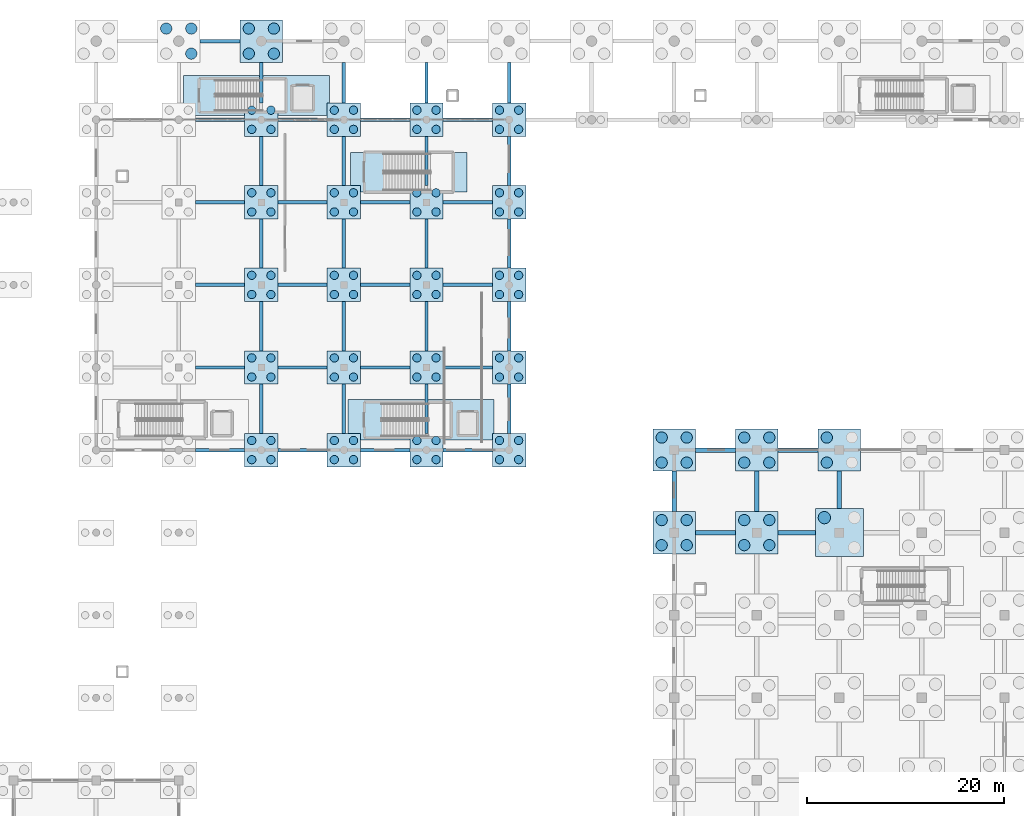
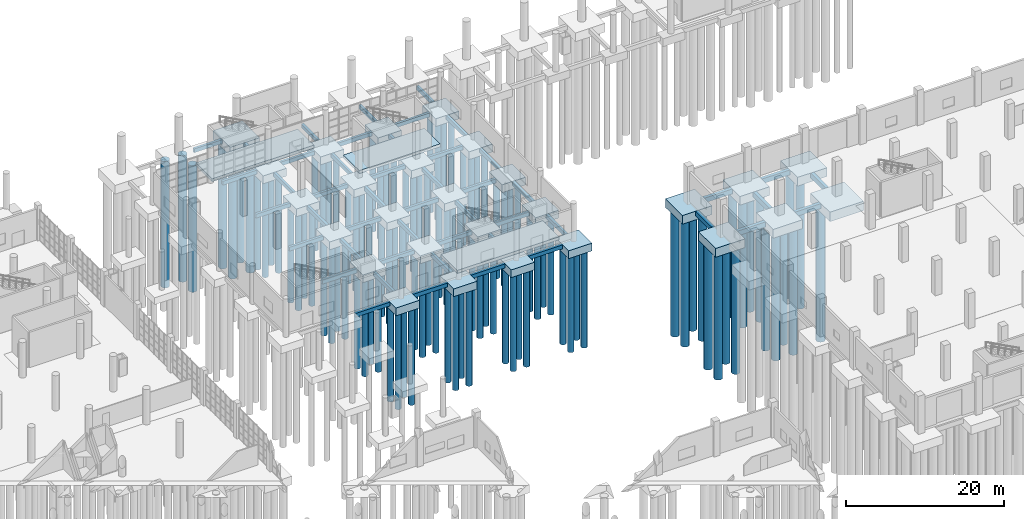
# One storey, part 7 of 83: 106 piles, 78 footings.
"""IFC4 building model written with IfcOpenShell, lengths in metres."""

from ifc_helpers import new_model, si_unit, direction, frame, origin, origin_2d, place, context, subcontext, project, spatial, rectangle, circle, extrude, material, material_profile, profile_set, type_object, element, save


model = new_model("IFC4")

# Units and contexts
model_context = context("Model", 3, precision=1e-05, world=origin(), true_north=direction((0.0, 1.0)))
body_context = subcontext(model_context, "Body", "Model", "MODEL_VIEW")
ifc_project = project(units=[si_unit("LENGTHUNIT", "METRE"), si_unit("AREAUNIT", "SQUARE_METRE"), si_unit("VOLUMEUNIT", "CUBIC_METRE"), si_unit("PLANEANGLEUNIT", "RADIAN"), si_unit("MASSUNIT", "GRAM", prefix="KILO"), si_unit("THERMODYNAMICTEMPERATUREUNIT", "KELVIN"), si_unit("POWERUNIT", "WATT")], contexts=[model_context])

# Site, building, storey
site_placement = place(None, origin())
site = spatial("IfcSite", under=ifc_project, at=site_placement, CompositionType="ELEMENT")
building_placement = place(site_placement, origin())
building = spatial("IfcBuilding", under=site, at=building_placement, Name="Mavoryth Pier Ferry Terminal", CompositionType="ELEMENT")
storey_placement = place(building_placement, origin())
storey = spatial("IfcBuildingStorey", under=building, at=storey_placement, Name="L00", CompositionType="ELEMENT", Elevation=0.0)

# Footings
ifc_material = material(Name="Concrete C35/45", Category="concrete")
footing_type_1 = type_object("IfcFootingType", Name="Cap-4P-3400x3400x1200", PredefinedType="PILE_CAP", material=ifc_material)
for number, where, z_axis, x_axis, name in (
    (1, (67.199951171875, 72.39990234375, -1.66015625), (0.0, 0.0, 1.0), (1.0, 0.0, 0.0), "Foundation FD-V2-3-1"),
    (2, (67.199951171875, 80.800048828125, -1.66015625), (0.0, 0.0, 1.0), (1.0, 0.0, 0.0), "Foundation FD-V2-3-2"),
    (3, (67.199951171875, 89.199951171875, -1.66015625), (0.0, 0.0, 1.0), (1.0, 0.0, 0.0), "Foundation FD-V2-3-3"),
    (4, (67.199951171875, 97.60009765625, -1.66015625), (0.0, 0.0, 1.0), (1.0, 0.0, 0.0), "Foundation FD-V2-3-4"),
    (5, (67.199951171875, 106.0, -1.66015625), (0.0, 0.0, 1.0), (1.0, 0.0, 0.0), "Foundation FD-V2-3-5"),
    (6, (75.60009765625, 72.39990234375, -1.66015625), (0.0, 0.0, 1.0), (1.0, 0.0, 0.0), "Foundation FD-V2-4-1"),
    (7, (75.60009765625, 80.800048828125, -1.66015625), (0.0, 0.0, 1.0), (1.0, 0.0, 0.0), "Foundation FD-V2-4-2"),
    (8, (75.60009765625, 89.199951171875, -1.66015625), (0.0, 0.0, 1.0), (1.0, 0.0, 0.0), "Foundation FD-V2-4-3"),
    (9, (75.60009765625, 97.60009765625, -1.66015625), (0.0, 0.0, 1.0), (1.0, 0.0, 0.0), "Foundation FD-V2-4-4"),
    (10, (75.60009765625, 106.0, -1.66015625), (0.0, 0.0, 1.0), (1.0, 0.0, 0.0), "Foundation FD-V2-4-5"),
    (11, (84.0, 72.39990234375, -1.66015625), (0.0, 0.0, 1.0), (1.0, 0.0, 0.0), "Foundation FD-V2-5-1"),
    (12, (84.0, 80.800048828125, -1.66015625), (0.0, 0.0, 1.0), (1.0, 0.0, 0.0), "Foundation FD-V2-5-2"),
    (13, (84.0, 89.199951171875, -1.66015625), (0.0, 0.0, 1.0), (1.0, 0.0, 0.0), "Foundation FD-V2-5-3"),
    (14, (84.0, 97.60009765625, -1.66015625), (0.0, 0.0, 1.0), (1.0, 0.0, 0.0), "Foundation FD-V2-5-4"),
    (15, (84.0, 106.0, -1.66015625), (0.0, 0.0, 1.0), (1.0, 0.0, 0.0), "Foundation FD-V2-5-5"),
    (16, (92.39990234375, 72.39990234375, -1.66015625), (0.0, 0.0, 1.0), (1.0, 0.0, 0.0), "Foundation FD-V2-6-1"),
    (17, (92.39990234375, 80.800048828125, -1.66015625), (0.0, 0.0, 1.0), (1.0, 0.0, 0.0), "Foundation FD-V2-6-2"),
    (18, (92.39990234375, 89.199951171875, -1.66015625), (0.0, 0.0, 1.0), (1.0, 0.0, 0.0), "Foundation FD-V2-6-3"),
    (19, (92.39990234375, 97.60009765625, -1.66015625), (0.0, 0.0, 1.0), (1.0, 0.0, 0.0), "Foundation FD-V2-6-4"),
    (20, (92.39990234375, 106.0, -1.66015625), (0.0, 0.0, 1.0), (1.0, 0.0, 0.0), "Foundation FD-V2-6-5"),
):
    element("IfcFooting", number, at=place(storey_placement, frame(where, z_axis=z_axis, x_axis=x_axis)), inside=storey, type_object=footing_type_1, Name=name, PredefinedType="PILE_CAP", context=body_context, shape_type="SweptSolid", body=[
        extrude(rectangle(XDim=3.39990234375, YDim=3.39990234375, at=origin_2d()), origin(), (0.0, 0.0, 1.0), 1.199951171875),
    ])
footing_type_2 = type_object("IfcFootingType", Name="Cap-4P-4300x4300x1350", PredefinedType="PILE_CAP", material=ifc_material)
for number, where, z_axis, x_axis, name in (
    (21, (67.199951171875, 114.0, -1.81005859375), (0.0, 0.0, 1.0), (1.0, 0.0, 0.0), "Foundation FD-V3-3-2"),
    (22, (109.199951171875, 64.0, -1.81005859375), (0.0, 0.0, 1.0), (1.0, 0.0, 0.0), "Foundation FD-V4-1-7"),
    (23, (109.199951171875, 72.39990234375, -1.81005859375), (0.0, 0.0, 1.0), (1.0, 0.0, 0.0), "Foundation FD-V4-1-8"),
    (24, (117.60009765625, 64.0, -1.81005859375), (0.0, 0.0, 1.0), (1.0, 0.0, 0.0), "Foundation FD-V4-2-7"),
    (25, (117.60009765625, 72.39990234375, -1.81005859375), (0.0, 0.0, 1.0), (1.0, 0.0, 0.0), "Foundation FD-V4-2-8"),
    (26, (126.0, 72.39990234375, -1.81005859375), (0.0, 0.0, 1.0), (1.0, 0.0, 0.0), "Foundation FD-V4-3-8"),
):
    element("IfcFooting", number, at=place(storey_placement, frame(where, z_axis=z_axis, x_axis=x_axis)), inside=storey, type_object=footing_type_2, Name=name, PredefinedType="PILE_CAP", context=body_context, shape_type="SweptSolid", body=[
        extrude(rectangle(XDim=4.300048828125, YDim=4.300048828125, at=origin_2d()), origin(), (0.0, 0.0, 1.0), 1.35009765625),
    ])
footing_type_3 = type_object("IfcFootingType", Name="Cap-4P-4900x4900x1450", PredefinedType="PILE_CAP", material=ifc_material)
footing_1_placement = place(storey_placement, frame((126.0, 64.0, -1.91015625), z_axis=(0.0, 0.0, 1.0), x_axis=(1.0, 0.0, 0.0)))
element("IfcFooting", 27, at=footing_1_placement, inside=storey, type_object=footing_type_3, Name="Foundation FD-V4-3-7", PredefinedType="PILE_CAP", context=body_context, shape_type="SweptSolid", body=[
    extrude(rectangle(XDim=4.89990234375, YDim=4.89990234375, at=origin_2d()), origin(), (0.0, 0.0, 1.0), 1.449951171875),
])
footing_type_4 = type_object("IfcFootingType", Name="Pad-CoreMat-11840x4000x460", PredefinedType="PAD_FOOTING", material=ifc_material)
footing_2_placement = place(storey_placement, frame((82.199951171875, 100.675048828125, -0.4599609375), z_axis=(0.0, 0.0, 1.0), x_axis=(1.0, 0.0, 0.0)))
element("IfcFooting", 28, at=footing_2_placement, inside=storey, type_object=footing_type_4, Name="Feature Stair Foundation Mat FS3", PredefinedType="PAD_FOOTING", context=body_context, shape_type="SweptSolid", body=[
    extrude(rectangle(XDim=11.840087890625, YDim=4.0, at=origin_2d()), origin(), (0.0, 0.0, 1.0), 0.4599609375),
])
footing_type_5 = type_object("IfcFootingType", Name="Pad-CoreMat-14840x4100x460", PredefinedType="PAD_FOOTING", material=ifc_material)
for number, where, z_axis, x_axis, name in (
    (29, (83.449951171875, 75.47509765625, -0.4599609375), (0.0, 0.0, 1.0), (1.0, 0.0, 0.0), "Core Foundation Mat C2B"),
    (30, (66.699951171875, 108.47509765625, -0.4599609375), (0.0, 0.0, 1.0), (1.0, 0.0, 0.0), "Core Foundation Mat C3A"),
):
    element("IfcFooting", number, at=place(storey_placement, frame(where, z_axis=z_axis, x_axis=x_axis)), inside=storey, type_object=footing_type_5, Name=name, PredefinedType="PAD_FOOTING", context=body_context, shape_type="SweptSolid", body=[
        extrude(rectangle(XDim=14.840087890625, YDim=4.10009765625, at=origin_2d()), origin(), (0.0, 0.0, 1.0), 0.4599609375),
    ])

# Piles
ifc_material_profile_1 = material_profile(ifc_material, circle(Radius=0.574951171875, at=origin_2d()), Name="PILE D1150", Category="concrete")
ifc_profile_set_1 = profile_set([ifc_material_profile_1], Name="Concrete C35/45 - PILE D1150")
pile_type_1 = type_object("IfcPileType", Name="Pile-Bored-D1150", PredefinedType="BORED", material=ifc_profile_set_1)
for number, where, z_axis, x_axis, name in (
    (31, (60.074951171875, 112.72509765625, -1.7099609375), (0.0, 0.0, -1.0), (1.0, 0.0, 0.0), "Bored Pile FD-V3-2-2-P2"),
    (32, (57.52490234375, 115.27490234375, -1.7099609375), (0.0, 0.0, -1.0), (1.0, 0.0, 0.0), "Bored Pile FD-V3-2-2-P3"),
    (33, (60.074951171875, 115.27490234375, -1.7099609375), (0.0, 0.0, -1.0), (1.0, 0.0, 0.0), "Bored Pile FD-V3-2-2-P4"),
    (34, (65.925048828125, 112.72509765625, -1.7099609375), (0.0, 0.0, -1.0), (1.0, 0.0, 0.0), "Bored Pile FD-V3-3-2-P1"),
    (35, (68.47509765625, 112.72509765625, -1.7099609375), (0.0, 0.0, -1.0), (1.0, 0.0, 0.0), "Bored Pile FD-V3-3-2-P2"),
    (36, (65.925048828125, 115.27490234375, -1.7099609375), (0.0, 0.0, -1.0), (1.0, 0.0, 0.0), "Bored Pile FD-V3-3-2-P3"),
    (37, (68.47509765625, 115.27490234375, -1.7099609375), (0.0, 0.0, -1.0), (1.0, 0.0, 0.0), "Bored Pile FD-V3-3-2-P4"),
    (38, (107.925048828125, 62.72509765625, -1.7099609375), (0.0, 0.0, -1.0), (1.0, 0.0, 0.0), "Bored Pile FD-V4-1-7-P1"),
    (39, (110.47509765625, 62.72509765625, -1.7099609375), (0.0, 0.0, -1.0), (1.0, 0.0, 0.0), "Bored Pile FD-V4-1-7-P2"),
    (40, (107.925048828125, 65.27490234375, -1.7099609375), (0.0, 0.0, -1.0), (1.0, 0.0, 0.0), "Bored Pile FD-V4-1-7-P3"),
    (41, (110.47509765625, 65.27490234375, -1.7099609375), (0.0, 0.0, -1.0), (1.0, 0.0, 0.0), "Bored Pile FD-V4-1-7-P4"),
    (42, (107.925048828125, 71.125, -1.7099609375), (0.0, 0.0, -1.0), (1.0, 0.0, 0.0), "Bored Pile FD-V4-1-8-P1"),
    (43, (110.47509765625, 71.125, -1.7099609375), (0.0, 0.0, -1.0), (1.0, 0.0, 0.0), "Bored Pile FD-V4-1-8-P2"),
    (44, (107.925048828125, 73.675048828125, -1.7099609375), (0.0, 0.0, -1.0), (1.0, 0.0, 0.0), "Bored Pile FD-V4-1-8-P3"),
    (45, (110.47509765625, 73.675048828125, -1.7099609375), (0.0, 0.0, -1.0), (1.0, 0.0, 0.0), "Bored Pile FD-V4-1-8-P4"),
    (46, (116.324951171875, 62.72509765625, -1.7099609375), (0.0, 0.0, -1.0), (1.0, 0.0, 0.0), "Bored Pile FD-V4-2-7-P1"),
    (47, (118.875, 62.72509765625, -1.7099609375), (0.0, 0.0, -1.0), (1.0, 0.0, 0.0), "Bored Pile FD-V4-2-7-P2"),
    (48, (116.324951171875, 65.27490234375, -1.7099609375), (0.0, 0.0, -1.0), (1.0, 0.0, 0.0), "Bored Pile FD-V4-2-7-P3"),
    (49, (118.875, 65.27490234375, -1.7099609375), (0.0, 0.0, -1.0), (1.0, 0.0, 0.0), "Bored Pile FD-V4-2-7-P4"),
    (50, (116.324951171875, 71.125, -1.7099609375), (0.0, 0.0, -1.0), (1.0, 0.0, 0.0), "Bored Pile FD-V4-2-8-P1"),
    (51, (118.875, 71.125, -1.7099609375), (0.0, 0.0, -1.0), (1.0, 0.0, 0.0), "Bored Pile FD-V4-2-8-P2"),
    (52, (116.324951171875, 73.675048828125, -1.7099609375), (0.0, 0.0, -1.0), (1.0, 0.0, 0.0), "Bored Pile FD-V4-2-8-P3"),
    (53, (118.875, 73.675048828125, -1.7099609375), (0.0, 0.0, -1.0), (1.0, 0.0, 0.0), "Bored Pile FD-V4-2-8-P4"),
    (54, (124.72509765625, 71.125, -1.7099609375), (0.0, 0.0, -1.0), (1.0, 0.0, 0.0), "Bored Pile FD-V4-3-8-P1"),
    (55, (124.72509765625, 73.675048828125, -1.7099609375), (0.0, 0.0, -1.0), (1.0, 0.0, 0.0), "Bored Pile FD-V4-3-8-P3"),
):
    element("IfcPile", number, at=place(storey_placement, frame(where, z_axis=z_axis, x_axis=x_axis)), inside=storey, type_object=pile_type_1, Name=name, PredefinedType="BORED", context=body_context, shape_type="SweptSolid", body=[
        extrude(circle(Radius=0.574951171875, at=origin_2d()), origin(), (0.0, 0.0, 1.0), 19.5),
    ])
ifc_material_profile_2 = material_profile(ifc_material, circle(Radius=0.625, at=origin_2d()), Name="PILE D1250", Category="concrete")
ifc_profile_set_2 = profile_set([ifc_material_profile_2], Name="Concrete C35/45 - PILE D1250")
pile_type_2 = type_object("IfcPileType", Name="Pile-Bored-D1250", PredefinedType="BORED", material=ifc_profile_set_2)
pile_placement = place(storey_placement, frame((124.47509765625, 65.52490234375, -1.81005859375), z_axis=(0.0, 0.0, -1.0), x_axis=(1.0, 0.0, 0.0)))
element("IfcPile", 56, at=pile_placement, inside=storey, type_object=pile_type_2, Name="Bored Pile FD-V4-3-7-P3", PredefinedType="BORED", context=body_context, shape_type="SweptSolid", body=[
    extrude(circle(Radius=0.625, at=origin_2d()), origin(), (0.0, 0.0, 1.0), 21.0),
])
ifc_material_profile_3 = material_profile(ifc_material, circle(Radius=0.425048828125, at=origin_2d()), Name="PILE D850", Category="concrete")
ifc_profile_set_3 = profile_set([ifc_material_profile_3], Name="Concrete C35/45 - PILE D850")
pile_type_3 = type_object("IfcPileType", Name="Pile-Bored-D850", PredefinedType="BORED", material=ifc_profile_set_3)
for number, where, z_axis, x_axis, name in (
    (57, (66.22509765625, 71.425048828125, -1.56005859375), (0.0, 0.0, -1.0), (1.0, 0.0, 0.0), "Bored Pile FD-V2-3-1-P1"),
    (58, (68.175048828125, 71.425048828125, -1.56005859375), (0.0, 0.0, -1.0), (1.0, 0.0, 0.0), "Bored Pile FD-V2-3-1-P2"),
    (59, (66.22509765625, 73.375, -1.56005859375), (0.0, 0.0, -1.0), (1.0, 0.0, 0.0), "Bored Pile FD-V2-3-1-P3"),
    (60, (68.175048828125, 73.375, -1.56005859375), (0.0, 0.0, -1.0), (1.0, 0.0, 0.0), "Bored Pile FD-V2-3-1-P4"),
    (61, (66.22509765625, 79.824951171875, -1.56005859375), (0.0, 0.0, -1.0), (1.0, 0.0, 0.0), "Bored Pile FD-V2-3-2-P1"),
    (62, (68.175048828125, 79.824951171875, -1.56005859375), (0.0, 0.0, -1.0), (1.0, 0.0, 0.0), "Bored Pile FD-V2-3-2-P2"),
    (63, (66.22509765625, 81.77490234375, -1.56005859375), (0.0, 0.0, -1.0), (1.0, 0.0, 0.0), "Bored Pile FD-V2-3-2-P3"),
    (64, (68.175048828125, 81.77490234375, -1.56005859375), (0.0, 0.0, -1.0), (1.0, 0.0, 0.0), "Bored Pile FD-V2-3-2-P4"),
    (65, (66.22509765625, 88.22509765625, -1.56005859375), (0.0, 0.0, -1.0), (1.0, 0.0, 0.0), "Bored Pile FD-V2-3-3-P1"),
    (66, (68.175048828125, 88.22509765625, -1.56005859375), (0.0, 0.0, -1.0), (1.0, 0.0, 0.0), "Bored Pile FD-V2-3-3-P2"),
    (67, (66.22509765625, 90.175048828125, -1.56005859375), (0.0, 0.0, -1.0), (1.0, 0.0, 0.0), "Bored Pile FD-V2-3-3-P3"),
    (68, (68.175048828125, 90.175048828125, -1.56005859375), (0.0, 0.0, -1.0), (1.0, 0.0, 0.0), "Bored Pile FD-V2-3-3-P4"),
    (69, (66.22509765625, 96.625, -1.56005859375), (0.0, 0.0, -1.0), (1.0, 0.0, 0.0), "Bored Pile FD-V2-3-4-P1"),
    (70, (68.175048828125, 96.625, -1.56005859375), (0.0, 0.0, -1.0), (1.0, 0.0, 0.0), "Bored Pile FD-V2-3-4-P2"),
    (71, (66.22509765625, 98.574951171875, -1.56005859375), (0.0, 0.0, -1.0), (1.0, 0.0, 0.0), "Bored Pile FD-V2-3-4-P3"),
    (72, (68.175048828125, 98.574951171875, -1.56005859375), (0.0, 0.0, -1.0), (1.0, 0.0, 0.0), "Bored Pile FD-V2-3-4-P4"),
    (73, (66.22509765625, 105.02490234375, -1.56005859375), (0.0, 0.0, -1.0), (1.0, 0.0, 0.0), "Bored Pile FD-V2-3-5-P1"),
    (74, (68.175048828125, 105.02490234375, -1.56005859375), (0.0, 0.0, -1.0), (1.0, 0.0, 0.0), "Bored Pile FD-V2-3-5-P2"),
    (75, (66.22509765625, 106.97509765625, -1.56005859375), (0.0, 0.0, -1.0), (1.0, 0.0, 0.0), "Bored Pile FD-V2-3-5-P3"),
    (76, (68.175048828125, 106.97509765625, -1.56005859375), (0.0, 0.0, -1.0), (1.0, 0.0, 0.0), "Bored Pile FD-V2-3-5-P4"),
    (77, (74.625, 71.425048828125, -1.56005859375), (0.0, 0.0, -1.0), (1.0, 0.0, 0.0), "Bored Pile FD-V2-4-1-P1"),
    (78, (76.574951171875, 71.425048828125, -1.56005859375), (0.0, 0.0, -1.0), (1.0, 0.0, 0.0), "Bored Pile FD-V2-4-1-P2"),
    (79, (74.625, 73.375, -1.56005859375), (0.0, 0.0, -1.0), (1.0, 0.0, 0.0), "Bored Pile FD-V2-4-1-P3"),
    (80, (76.574951171875, 73.375, -1.56005859375), (0.0, 0.0, -1.0), (1.0, 0.0, 0.0), "Bored Pile FD-V2-4-1-P4"),
    (81, (74.625, 79.824951171875, -1.56005859375), (0.0, 0.0, -1.0), (1.0, 0.0, 0.0), "Bored Pile FD-V2-4-2-P1"),
    (82, (76.574951171875, 79.824951171875, -1.56005859375), (0.0, 0.0, -1.0), (1.0, 0.0, 0.0), "Bored Pile FD-V2-4-2-P2"),
    (83, (74.625, 81.77490234375, -1.56005859375), (0.0, 0.0, -1.0), (1.0, 0.0, 0.0), "Bored Pile FD-V2-4-2-P3"),
    (84, (76.574951171875, 81.77490234375, -1.56005859375), (0.0, 0.0, -1.0), (1.0, 0.0, 0.0), "Bored Pile FD-V2-4-2-P4"),
    (85, (74.625, 88.22509765625, -1.56005859375), (0.0, 0.0, -1.0), (1.0, 0.0, 0.0), "Bored Pile FD-V2-4-3-P1"),
    (86, (76.574951171875, 88.22509765625, -1.56005859375), (0.0, 0.0, -1.0), (1.0, 0.0, 0.0), "Bored Pile FD-V2-4-3-P2"),
    (87, (74.625, 90.175048828125, -1.56005859375), (0.0, 0.0, -1.0), (1.0, 0.0, 0.0), "Bored Pile FD-V2-4-3-P3"),
    (88, (76.574951171875, 90.175048828125, -1.56005859375), (0.0, 0.0, -1.0), (1.0, 0.0, 0.0), "Bored Pile FD-V2-4-3-P4"),
    (89, (74.625, 96.625, -1.56005859375), (0.0, 0.0, -1.0), (1.0, 0.0, 0.0), "Bored Pile FD-V2-4-4-P1"),
    (90, (76.574951171875, 96.625, -1.56005859375), (0.0, 0.0, -1.0), (1.0, 0.0, 0.0), "Bored Pile FD-V2-4-4-P2"),
    (91, (74.625, 98.574951171875, -1.56005859375), (0.0, 0.0, -1.0), (1.0, 0.0, 0.0), "Bored Pile FD-V2-4-4-P3"),
    (92, (76.574951171875, 98.574951171875, -1.56005859375), (0.0, 0.0, -1.0), (1.0, 0.0, 0.0), "Bored Pile FD-V2-4-4-P4"),
    (93, (74.625, 105.02490234375, -1.56005859375), (0.0, 0.0, -1.0), (1.0, 0.0, 0.0), "Bored Pile FD-V2-4-5-P1"),
    (94, (76.574951171875, 105.02490234375, -1.56005859375), (0.0, 0.0, -1.0), (1.0, 0.0, 0.0), "Bored Pile FD-V2-4-5-P2"),
    (95, (74.625, 106.97509765625, -1.56005859375), (0.0, 0.0, -1.0), (1.0, 0.0, 0.0), "Bored Pile FD-V2-4-5-P3"),
    (96, (76.574951171875, 106.97509765625, -1.56005859375), (0.0, 0.0, -1.0), (1.0, 0.0, 0.0), "Bored Pile FD-V2-4-5-P4"),
    (97, (83.02490234375, 71.425048828125, -1.56005859375), (0.0, 0.0, -1.0), (1.0, 0.0, 0.0), "Bored Pile FD-V2-5-1-P1"),
    (98, (84.97509765625, 71.425048828125, -1.56005859375), (0.0, 0.0, -1.0), (1.0, 0.0, 0.0), "Bored Pile FD-V2-5-1-P2"),
    (99, (83.02490234375, 73.375, -1.56005859375), (0.0, 0.0, -1.0), (1.0, 0.0, 0.0), "Bored Pile FD-V2-5-1-P3"),
    (100, (84.97509765625, 73.375, -1.56005859375), (0.0, 0.0, -1.0), (1.0, 0.0, 0.0), "Bored Pile FD-V2-5-1-P4"),
    (101, (83.02490234375, 79.824951171875, -1.56005859375), (0.0, 0.0, -1.0), (1.0, 0.0, 0.0), "Bored Pile FD-V2-5-2-P1"),
    (102, (84.97509765625, 79.824951171875, -1.56005859375), (0.0, 0.0, -1.0), (1.0, 0.0, 0.0), "Bored Pile FD-V2-5-2-P2"),
    (103, (83.02490234375, 81.77490234375, -1.56005859375), (0.0, 0.0, -1.0), (1.0, 0.0, 0.0), "Bored Pile FD-V2-5-2-P3"),
    (104, (84.97509765625, 81.77490234375, -1.56005859375), (0.0, 0.0, -1.0), (1.0, 0.0, 0.0), "Bored Pile FD-V2-5-2-P4"),
    (105, (83.02490234375, 88.22509765625, -1.56005859375), (0.0, 0.0, -1.0), (1.0, 0.0, 0.0), "Bored Pile FD-V2-5-3-P1"),
    (106, (84.97509765625, 88.22509765625, -1.56005859375), (0.0, 0.0, -1.0), (1.0, 0.0, 0.0), "Bored Pile FD-V2-5-3-P2"),
    (107, (83.02490234375, 90.175048828125, -1.56005859375), (0.0, 0.0, -1.0), (1.0, 0.0, 0.0), "Bored Pile FD-V2-5-3-P3"),
    (108, (84.97509765625, 90.175048828125, -1.56005859375), (0.0, 0.0, -1.0), (1.0, 0.0, 0.0), "Bored Pile FD-V2-5-3-P4"),
    (109, (83.02490234375, 96.625, -1.56005859375), (0.0, 0.0, -1.0), (1.0, 0.0, 0.0), "Bored Pile FD-V2-5-4-P1"),
    (110, (84.97509765625, 96.625, -1.56005859375), (0.0, 0.0, -1.0), (1.0, 0.0, 0.0), "Bored Pile FD-V2-5-4-P2"),
    (111, (83.02490234375, 98.574951171875, -1.56005859375), (0.0, 0.0, -1.0), (1.0, 0.0, 0.0), "Bored Pile FD-V2-5-4-P3"),
    (112, (84.97509765625, 98.574951171875, -1.56005859375), (0.0, 0.0, -1.0), (1.0, 0.0, 0.0), "Bored Pile FD-V2-5-4-P4"),
    (113, (83.02490234375, 105.02490234375, -1.56005859375), (0.0, 0.0, -1.0), (1.0, 0.0, 0.0), "Bored Pile FD-V2-5-5-P1"),
    (114, (84.97509765625, 105.02490234375, -1.56005859375), (0.0, 0.0, -1.0), (1.0, 0.0, 0.0), "Bored Pile FD-V2-5-5-P2"),
    (115, (83.02490234375, 106.97509765625, -1.56005859375), (0.0, 0.0, -1.0), (1.0, 0.0, 0.0), "Bored Pile FD-V2-5-5-P3"),
    (116, (84.97509765625, 106.97509765625, -1.56005859375), (0.0, 0.0, -1.0), (1.0, 0.0, 0.0), "Bored Pile FD-V2-5-5-P4"),
    (117, (91.425048828125, 71.425048828125, -1.56005859375), (0.0, 0.0, -1.0), (1.0, 0.0, 0.0), "Bored Pile FD-V2-6-1-P1"),
    (118, (93.375, 71.425048828125, -1.56005859375), (0.0, 0.0, -1.0), (1.0, 0.0, 0.0), "Bored Pile FD-V2-6-1-P2"),
    (119, (91.425048828125, 73.375, -1.56005859375), (0.0, 0.0, -1.0), (1.0, 0.0, 0.0), "Bored Pile FD-V2-6-1-P3"),
    (120, (93.375, 73.375, -1.56005859375), (0.0, 0.0, -1.0), (1.0, 0.0, 0.0), "Bored Pile FD-V2-6-1-P4"),
    (121, (91.425048828125, 79.824951171875, -1.56005859375), (0.0, 0.0, -1.0), (1.0, 0.0, 0.0), "Bored Pile FD-V2-6-2-P1"),
    (122, (93.375, 79.824951171875, -1.56005859375), (0.0, 0.0, -1.0), (1.0, 0.0, 0.0), "Bored Pile FD-V2-6-2-P2"),
    (123, (91.425048828125, 81.77490234375, -1.56005859375), (0.0, 0.0, -1.0), (1.0, 0.0, 0.0), "Bored Pile FD-V2-6-2-P3"),
    (124, (93.375, 81.77490234375, -1.56005859375), (0.0, 0.0, -1.0), (1.0, 0.0, 0.0), "Bored Pile FD-V2-6-2-P4"),
    (125, (91.425048828125, 88.22509765625, -1.56005859375), (0.0, 0.0, -1.0), (1.0, 0.0, 0.0), "Bored Pile FD-V2-6-3-P1"),
    (126, (93.375, 88.22509765625, -1.56005859375), (0.0, 0.0, -1.0), (1.0, 0.0, 0.0), "Bored Pile FD-V2-6-3-P2"),
    (127, (91.425048828125, 90.175048828125, -1.56005859375), (0.0, 0.0, -1.0), (1.0, 0.0, 0.0), "Bored Pile FD-V2-6-3-P3"),
    (128, (93.375, 90.175048828125, -1.56005859375), (0.0, 0.0, -1.0), (1.0, 0.0, 0.0), "Bored Pile FD-V2-6-3-P4"),
    (129, (91.425048828125, 96.625, -1.56005859375), (0.0, 0.0, -1.0), (1.0, 0.0, 0.0), "Bored Pile FD-V2-6-4-P1"),
    (130, (93.375, 96.625, -1.56005859375), (0.0, 0.0, -1.0), (1.0, 0.0, 0.0), "Bored Pile FD-V2-6-4-P2"),
    (131, (91.425048828125, 98.574951171875, -1.56005859375), (0.0, 0.0, -1.0), (1.0, 0.0, 0.0), "Bored Pile FD-V2-6-4-P3"),
    (132, (93.375, 98.574951171875, -1.56005859375), (0.0, 0.0, -1.0), (1.0, 0.0, 0.0), "Bored Pile FD-V2-6-4-P4"),
    (133, (91.425048828125, 105.02490234375, -1.56005859375), (0.0, 0.0, -1.0), (1.0, 0.0, 0.0), "Bored Pile FD-V2-6-5-P1"),
    (134, (93.375, 105.02490234375, -1.56005859375), (0.0, 0.0, -1.0), (1.0, 0.0, 0.0), "Bored Pile FD-V2-6-5-P2"),
    (135, (91.425048828125, 106.97509765625, -1.56005859375), (0.0, 0.0, -1.0), (1.0, 0.0, 0.0), "Bored Pile FD-V2-6-5-P3"),
    (136, (93.375, 106.97509765625, -1.56005859375), (0.0, 0.0, -1.0), (1.0, 0.0, 0.0), "Bored Pile FD-V2-6-5-P4"),
):
    element("IfcPile", number, at=place(storey_placement, frame(where, z_axis=z_axis, x_axis=x_axis)), inside=storey, type_object=pile_type_3, Name=name, PredefinedType="BORED", context=body_context, shape_type="SweptSolid", body=[
        extrude(circle(Radius=0.425048828125, at=origin_2d()), origin(), (0.0, 0.0, 1.0), 15.0),
    ])

# Footings
ifc_material_profile_4 = material_profile(ifc_material, rectangle(XDim=0.35009765625, YDim=0.60009765625, at=origin_2d()), Name="RC 350x600", Category="concrete")
ifc_profile_set_4 = profile_set([ifc_material_profile_4], Name="Concrete C35/45 - RC 350x600")
footing_type_6 = type_object("IfcFootingType", Name="TieBeam-RC-350x600", PredefinedType="FOOTING_BEAM", material=ifc_profile_set_4)
for number, where, z_axis, x_axis, name in (
    (137, (60.5, 72.39990234375, -0.760009765625), (1.0, 0.0, 0.0), (0.0, 1.0, 0.0), "Footing Tie Beam 127"),
    (138, (68.89990234375, 72.39990234375, -0.760009765625), (1.0, 0.0, 0.0), (0.0, 1.0, 0.0), "Footing Tie Beam 128"),
    (139, (77.300048828125, 72.39990234375, -0.760009765625), (1.0, 0.0, 0.0), (0.0, 1.0, 0.0), "Footing Tie Beam 129"),
    (140, (85.699951171875, 72.39990234375, -0.760009765625), (1.0, 0.0, 0.0), (0.0, 1.0, 0.0), "Footing Tie Beam 130"),
    (141, (60.5, 80.800048828125, -0.760009765625), (1.0, 0.0, 0.0), (0.0, 1.0, 0.0), "Footing Tie Beam 132"),
    (142, (68.89990234375, 80.800048828125, -0.760009765625), (1.0, 0.0, 0.0), (0.0, 1.0, 0.0), "Footing Tie Beam 133"),
    (143, (77.300048828125, 80.800048828125, -0.760009765625), (1.0, 0.0, 0.0), (0.0, 1.0, 0.0), "Footing Tie Beam 134"),
    (144, (85.699951171875, 80.800048828125, -0.760009765625), (1.0, 0.0, 0.0), (0.0, 1.0, 0.0), "Footing Tie Beam 135"),
    (145, (60.5, 89.199951171875, -0.760009765625), (1.0, 0.0, 0.0), (0.0, 1.0, 0.0), "Footing Tie Beam 137"),
    (146, (68.89990234375, 89.199951171875, -0.760009765625), (1.0, 0.0, 0.0), (0.0, 1.0, 0.0), "Footing Tie Beam 138"),
    (147, (77.300048828125, 89.199951171875, -0.760009765625), (1.0, 0.0, 0.0), (0.0, 1.0, 0.0), "Footing Tie Beam 139"),
    (148, (85.699951171875, 89.199951171875, -0.760009765625), (1.0, 0.0, 0.0), (0.0, 1.0, 0.0), "Footing Tie Beam 140"),
    (149, (60.5, 97.60009765625, -0.760009765625), (1.0, 0.0, 0.0), (0.0, 1.0, 0.0), "Footing Tie Beam 142"),
    (150, (68.89990234375, 97.60009765625, -0.760009765625), (1.0, 0.0, 0.0), (0.0, 1.0, 0.0), "Footing Tie Beam 143"),
    (151, (77.300048828125, 97.60009765625, -0.760009765625), (1.0, 0.0, 0.0), (0.0, 1.0, 0.0), "Footing Tie Beam 144"),
    (152, (85.699951171875, 97.60009765625, -0.760009765625), (1.0, 0.0, 0.0), (0.0, 1.0, 0.0), "Footing Tie Beam 145"),
    (153, (60.5, 106.0, -0.760009765625), (1.0, 0.0, 0.0), (0.0, 1.0, 0.0), "Footing Tie Beam 147"),
    (154, (68.89990234375, 106.0, -0.760009765625), (1.0, 0.0, 0.0), (0.0, 1.0, 0.0), "Footing Tie Beam 148"),
    (155, (77.300048828125, 106.0, -0.760009765625), (1.0, 0.0, 0.0), (0.0, 1.0, 0.0), "Footing Tie Beam 149"),
    (156, (85.699951171875, 106.0, -0.760009765625), (1.0, 0.0, 0.0), (0.0, 1.0, 0.0), "Footing Tie Beam 150"),
):
    element("IfcFooting", number, at=place(storey_placement, frame(where, z_axis=z_axis, x_axis=x_axis)), inside=storey, type_object=footing_type_6, Name=name, PredefinedType="FOOTING_BEAM", context=body_context, shape_type="SweptSolid", body=[
        extrude(rectangle(XDim=0.35009765625, YDim=0.60009765625, at=origin_2d()), origin(), (0.0, 0.0, 1.0), 5.0),
    ])
footing_3_placement = place(storey_placement, frame((60.949951171875, 114.0, -0.760009765625), z_axis=(1.0, 0.0, 0.0), x_axis=(0.0, 1.0, 0.0)))
element("IfcFooting", 157, at=footing_3_placement, inside=storey, type_object=footing_type_6, Name="Footing Tie Beam 152", PredefinedType="FOOTING_BEAM", context=body_context, shape_type="SweptSolid", body=[
    extrude(rectangle(XDim=0.35009765625, YDim=0.60009765625, at=origin_2d()), origin(), (0.0, 0.0, 1.0), 4.10009765625),
])
for number, where, z_axis, x_axis, name in (
    (158, (67.199951171875, 74.10009765625, -0.760009765625), (0.0, 1.0, 0.0), (-1.0, 0.0, 0.0), "Footing Tie Beam 166"),
    (159, (67.199951171875, 82.5, -0.760009765625), (0.0, 1.0, 0.0), (-1.0, 0.0, 0.0), "Footing Tie Beam 167"),
    (160, (67.199951171875, 90.89990234375, -0.760009765625), (0.0, 1.0, 0.0), (-1.0, 0.0, 0.0), "Footing Tie Beam 168"),
    (161, (67.199951171875, 99.300048828125, -0.760009765625), (0.0, 1.0, 0.0), (-1.0, 0.0, 0.0), "Footing Tie Beam 169"),
):
    element("IfcFooting", number, at=place(storey_placement, frame(where, z_axis=z_axis, x_axis=x_axis)), inside=storey, type_object=footing_type_6, Name=name, PredefinedType="FOOTING_BEAM", context=body_context, shape_type="SweptSolid", body=[
        extrude(rectangle(XDim=0.35009765625, YDim=0.60009765625, at=origin_2d()), origin(), (0.0, 0.0, 1.0), 5.0),
    ])
footing_4_placement = place(storey_placement, frame((67.199951171875, 107.699951171875, -0.760009765625), z_axis=(0.0, 1.0, 0.0), x_axis=(-1.0, 0.0, 0.0)))
element("IfcFooting", 162, at=footing_4_placement, inside=storey, type_object=footing_type_6, Name="Footing Tie Beam 170", PredefinedType="FOOTING_BEAM", context=body_context, shape_type="SweptSolid", body=[
    extrude(rectangle(XDim=0.35009765625, YDim=0.60009765625, at=origin_2d()), origin(), (0.0, 0.0, 1.0), 4.150146484375),
])
for number, where, z_axis, x_axis, name in (
    (163, (75.60009765625, 74.10009765625, -0.760009765625), (0.0, 1.0, 0.0), (-1.0, 0.0, 0.0), "Footing Tie Beam 171"),
    (164, (75.60009765625, 82.5, -0.760009765625), (0.0, 1.0, 0.0), (-1.0, 0.0, 0.0), "Footing Tie Beam 172"),
    (165, (75.60009765625, 90.89990234375, -0.760009765625), (0.0, 1.0, 0.0), (-1.0, 0.0, 0.0), "Footing Tie Beam 173"),
    (166, (75.60009765625, 99.300048828125, -0.760009765625), (0.0, 1.0, 0.0), (-1.0, 0.0, 0.0), "Footing Tie Beam 174"),
):
    element("IfcFooting", number, at=place(storey_placement, frame(where, z_axis=z_axis, x_axis=x_axis)), inside=storey, type_object=footing_type_6, Name=name, PredefinedType="FOOTING_BEAM", context=body_context, shape_type="SweptSolid", body=[
        extrude(rectangle(XDim=0.35009765625, YDim=0.60009765625, at=origin_2d()), origin(), (0.0, 0.0, 1.0), 5.0),
    ])
footing_5_placement = place(storey_placement, frame((75.60009765625, 107.699951171875, -0.760009765625), z_axis=(0.0, 1.0, 0.0), x_axis=(-1.0, 0.0, 0.0)))
element("IfcFooting", 167, at=footing_5_placement, inside=storey, type_object=footing_type_6, Name="Footing Tie Beam 175", PredefinedType="FOOTING_BEAM", context=body_context, shape_type="SweptSolid", body=[
    extrude(rectangle(XDim=0.35009765625, YDim=0.60009765625, at=origin_2d()), origin(), (0.0, 0.0, 1.0), 4.150146484375),
])
for number, where, z_axis, x_axis, name in (
    (168, (84.0, 74.10009765625, -0.760009765625), (0.0, 1.0, 0.0), (-1.0, 0.0, 0.0), "Footing Tie Beam 176"),
    (169, (84.0, 82.5, -0.760009765625), (0.0, 1.0, 0.0), (-1.0, 0.0, 0.0), "Footing Tie Beam 177"),
    (170, (84.0, 90.89990234375, -0.760009765625), (0.0, 1.0, 0.0), (-1.0, 0.0, 0.0), "Footing Tie Beam 178"),
    (171, (84.0, 99.300048828125, -0.760009765625), (0.0, 1.0, 0.0), (-1.0, 0.0, 0.0), "Footing Tie Beam 179"),
):
    element("IfcFooting", number, at=place(storey_placement, frame(where, z_axis=z_axis, x_axis=x_axis)), inside=storey, type_object=footing_type_6, Name=name, PredefinedType="FOOTING_BEAM", context=body_context, shape_type="SweptSolid", body=[
        extrude(rectangle(XDim=0.35009765625, YDim=0.60009765625, at=origin_2d()), origin(), (0.0, 0.0, 1.0), 5.0),
    ])
footing_6_placement = place(storey_placement, frame((84.0, 107.699951171875, -0.760009765625), z_axis=(0.0, 1.0, 0.0), x_axis=(-1.0, 0.0, 0.0)))
element("IfcFooting", 172, at=footing_6_placement, inside=storey, type_object=footing_type_6, Name="Footing Tie Beam 180", PredefinedType="FOOTING_BEAM", context=body_context, shape_type="SweptSolid", body=[
    extrude(rectangle(XDim=0.35009765625, YDim=0.60009765625, at=origin_2d()), origin(), (0.0, 0.0, 1.0), 4.150146484375),
])
for number, where, z_axis, x_axis, name in (
    (173, (92.39990234375, 74.10009765625, -0.760009765625), (0.0, 1.0, 0.0), (-1.0, 0.0, 0.0), "Footing Tie Beam 181"),
    (174, (92.39990234375, 82.5, -0.760009765625), (0.0, 1.0, 0.0), (-1.0, 0.0, 0.0), "Footing Tie Beam 182"),
    (175, (92.39990234375, 90.89990234375, -0.760009765625), (0.0, 1.0, 0.0), (-1.0, 0.0, 0.0), "Footing Tie Beam 183"),
    (176, (92.39990234375, 99.300048828125, -0.760009765625), (0.0, 1.0, 0.0), (-1.0, 0.0, 0.0), "Footing Tie Beam 184"),
):
    element("IfcFooting", number, at=place(storey_placement, frame(where, z_axis=z_axis, x_axis=x_axis)), inside=storey, type_object=footing_type_6, Name=name, PredefinedType="FOOTING_BEAM", context=body_context, shape_type="SweptSolid", body=[
        extrude(rectangle(XDim=0.35009765625, YDim=0.60009765625, at=origin_2d()), origin(), (0.0, 0.0, 1.0), 5.0),
    ])
footing_7_placement = place(storey_placement, frame((92.39990234375, 107.699951171875, -0.760009765625), z_axis=(0.0, 1.0, 0.0), x_axis=(-1.0, 0.0, 0.0)))
element("IfcFooting", 177, at=footing_7_placement, inside=storey, type_object=footing_type_6, Name="Footing Tie Beam 185", PredefinedType="FOOTING_BEAM", context=body_context, shape_type="SweptSolid", body=[
    extrude(rectangle(XDim=0.35009765625, YDim=0.60009765625, at=origin_2d()), origin(), (0.0, 0.0, 1.0), 4.150146484375),
])
ifc_material_profile_5 = material_profile(ifc_material, rectangle(XDim=0.449951171875, YDim=0.75, at=origin_2d()), Name="RC 450x750", Category="concrete")
ifc_profile_set_5 = profile_set([ifc_material_profile_5], Name="Concrete C35/45 - RC 450x750")
footing_type_7 = type_object("IfcFootingType", Name="TieBeam-RC-450x750", PredefinedType="FOOTING_BEAM", material=ifc_profile_set_5)
footing_8_placement = place(storey_placement, frame((111.35009765625, 64.0, -0.8349609375), z_axis=(1.0, 0.0, 0.0), x_axis=(0.0, 1.0, 0.0)))
element("IfcFooting", 178, at=footing_8_placement, inside=storey, type_object=footing_type_7, Name="Footing Tie Beam 249", PredefinedType="FOOTING_BEAM", context=body_context, shape_type="SweptSolid", body=[
    extrude(rectangle(XDim=0.449951171875, YDim=0.75, at=origin_2d()), origin(), (0.0, 0.0, 1.0), 4.099853515625),
])
footing_9_placement = place(storey_placement, frame((119.75, 64.0, -0.8349609375), z_axis=(1.0, 0.0, 0.0), x_axis=(0.0, 1.0, 0.0)))
element("IfcFooting", 179, at=footing_9_placement, inside=storey, type_object=footing_type_7, Name="Footing Tie Beam 250", PredefinedType="FOOTING_BEAM", context=body_context, shape_type="SweptSolid", body=[
    extrude(rectangle(XDim=0.449951171875, YDim=0.75, at=origin_2d()), origin(), (0.0, 0.0, 1.0), 3.800048828125),
])
footing_10_placement = place(storey_placement, frame((111.35009765625, 72.39990234375, -0.8349609375), z_axis=(1.0, 0.0, 0.0), x_axis=(0.0, 1.0, 0.0)))
element("IfcFooting", 180, at=footing_10_placement, inside=storey, type_object=footing_type_7, Name="Footing Tie Beam 256", PredefinedType="FOOTING_BEAM", context=body_context, shape_type="SweptSolid", body=[
    extrude(rectangle(XDim=0.449951171875, YDim=0.75, at=origin_2d()), origin(), (0.0, 0.0, 1.0), 4.099853515625),
])
for number, where, z_axis, x_axis, name in (
    (181, (119.75, 72.39990234375, -0.8349609375), (1.0, 0.0, 0.0), (0.0, 1.0, 0.0), "Footing Tie Beam 257"),
    (182, (109.199951171875, 66.14990234375, -0.8349609375), (0.0, 1.0, 0.0), (-1.0, 0.0, 0.0), "Footing Tie Beam 269"),
    (183, (117.60009765625, 66.14990234375, -0.8349609375), (0.0, 1.0, 0.0), (-1.0, 0.0, 0.0), "Footing Tie Beam 276"),
):
    element("IfcFooting", number, at=place(storey_placement, frame(where, z_axis=z_axis, x_axis=x_axis)), inside=storey, type_object=footing_type_7, Name=name, PredefinedType="FOOTING_BEAM", context=body_context, shape_type="SweptSolid", body=[
        extrude(rectangle(XDim=0.449951171875, YDim=0.75, at=origin_2d()), origin(), (0.0, 0.0, 1.0), 4.10009765625),
    ])
footing_11_placement = place(storey_placement, frame((126.0, 66.449951171875, -0.8349609375), z_axis=(0.0, 1.0, 0.0), x_axis=(-1.0, 0.0, 0.0)))
element("IfcFooting", 184, at=footing_11_placement, inside=storey, type_object=footing_type_7, Name="Footing Tie Beam 283", PredefinedType="FOOTING_BEAM", context=body_context, shape_type="SweptSolid", body=[
    extrude(rectangle(XDim=0.449951171875, YDim=0.75, at=origin_2d()), origin(), (0.0, 0.0, 1.0), 3.800048828125),
])

save(model, "model.ifc")
